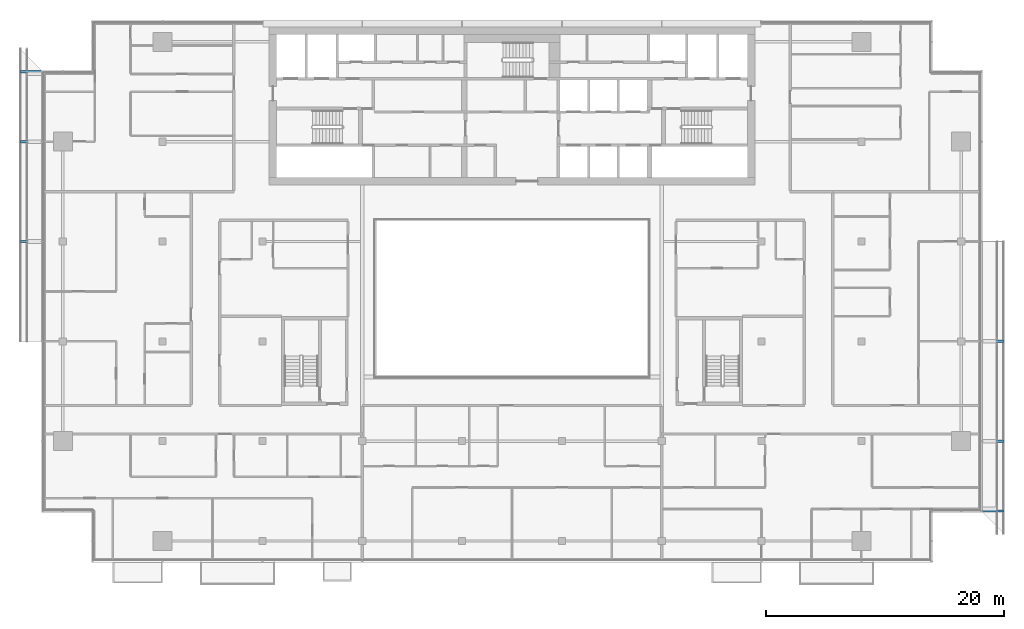
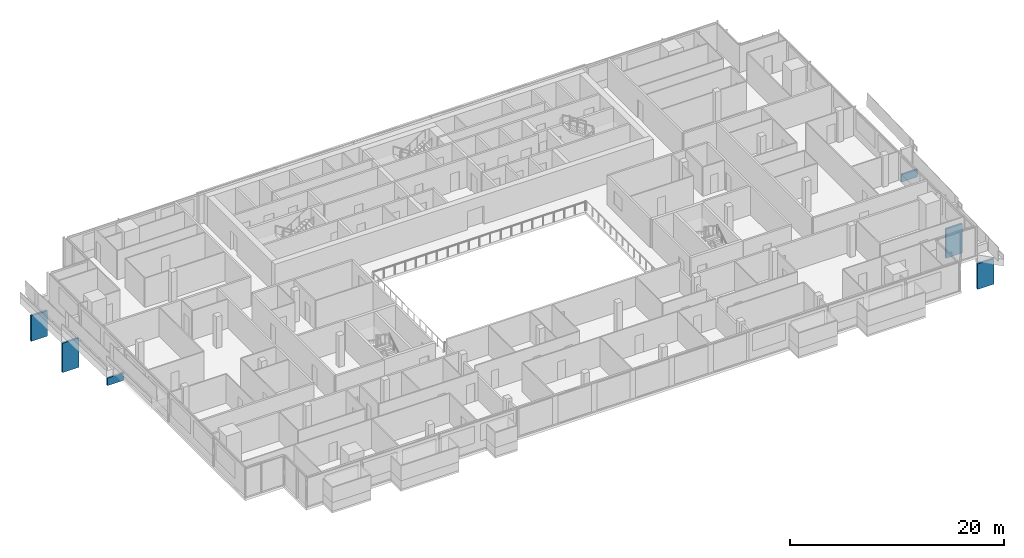
# One storey, part 26 of 29: 6 discrete accessories.
"""IFC4 building model written with IfcOpenShell, lengths in metres."""

import ifcopenshell
import ifcopenshell.guid

model = None  # the IFC model being written
_history = None  # IfcOwnerHistory: only IFC2X3 demands one
_inside = {}  # id of a spatial element -> (the spatial element, [elements in it])
_under = {}  # id of a project, library or spatial element -> (it, [spatial elements below it])
_declared = {}  # id of a project -> (the project, [libraries it declares])
_typed = {}  # id of a type object -> (the type object, [elements of that type])
_made_of = {}  # id of a material, layer set ... -> (it, [elements and type objects made of it])


def new_model(schema):
    """Start an empty IFC model of exactly this schema.

    Asked for "IFC4X3", IfcOpenShell would pick the latest addendum, in which some entities
    have other attributes; the version numbers below select the first issue.
    IFC2X3 requires an IfcOwnerHistory on every rooted entity: one is made here for all.
    """
    global model, _history
    if schema == "IFC4X3":
        model = ifcopenshell.file(schema_version=(4, 3, 0, 0))
    else:
        model = ifcopenshell.file(schema=schema)
    _inside.clear()
    _under.clear()
    _declared.clear()
    _typed.clear()
    _made_of.clear()
    _history = None
    if model.schema == "IFC2X3":
        org = make("IfcOrganization", Name="unknown")
        user = make(
            "IfcPersonAndOrganization",
            ThePerson=make("IfcPerson", FamilyName="unknown"),
            TheOrganization=org,
        )
        app = make(
            "IfcApplication",
            ApplicationDeveloper=org,
            Version="unknown",
            ApplicationFullName="unknown",
            ApplicationIdentifier="unknown",
        )
        _history = make(
            "IfcOwnerHistory",
            OwningUser=user,
            OwningApplication=app,
            ChangeAction="ADDED",
            CreationDate=0,
        )
    return model


def make(cls, **values):
    """One entity of the class cls with the attributes given. An attribute that is None is left unset."""
    return model.create_entity(
        cls, **{name: value for name, value in values.items() if value is not None}
    )


def rooted(cls, **values):
    """An entity with a GlobalId (a new one), such as an element, a storey or a relation."""
    return make(cls, GlobalId=ifcopenshell.guid.new(), OwnerHistory=_history, **values)


def si_unit(unit_type, name, prefix=None):
    """IfcSIUnit, for example si_unit("LENGTHUNIT", "METRE", prefix="MILLI")."""
    return make("IfcSIUnit", UnitType=unit_type, Prefix=prefix, Name=name)


def assignment(units):
    """IfcUnitAssignment: the units of a project."""
    return None if units is None else make("IfcUnitAssignment", Units=units)


def point(xyz):
    """IfcCartesianPoint."""
    return None if xyz is None else make("IfcCartesianPoint", Coordinates=xyz)


def direction(xyz):
    """IfcDirection."""
    return None if xyz is None else make("IfcDirection", DirectionRatios=xyz)


def frame(location, z_axis=None, x_axis=None):
    """IfcAxis2Placement3D, a coordinate frame: its origin and axes. An axis left out is left unset."""
    return make(
        "IfcAxis2Placement3D",
        Location=point(location),
        Axis=direction(z_axis),
        RefDirection=direction(x_axis),
    )


def frame_2d(location, x_axis=None):
    """IfcAxis2Placement2D, a coordinate frame in the plane: its origin and x axis."""
    return make(
        "IfcAxis2Placement2D", Location=point(location), RefDirection=direction(x_axis)
    )


def origin():
    """The frame at (0, 0, 0) with its axes left unset."""
    return frame((0.0, 0.0, 0.0))


def origin_2d():
    """The frame at (0, 0) in the plane with its x axis left unset."""
    return frame_2d((0.0, 0.0))


def place(relative_to, where):
    """IfcLocalPlacement: puts the frame where relative to a parent placement (None: the world)."""
    return make(
        "IfcLocalPlacement", PlacementRelTo=relative_to, RelativePlacement=where
    )


def context(
    kind, dimensions, precision=None, world=None, true_north=None, identifier=None
):
    """IfcGeometricRepresentationContext, for example the 3D "Model" context."""
    return make(
        "IfcGeometricRepresentationContext",
        ContextIdentifier=identifier,
        ContextType=kind,
        CoordinateSpaceDimension=dimensions,
        Precision=precision,
        WorldCoordinateSystem=world,
        TrueNorth=true_north,
    )


def subcontext(parent, identifier, kind, view, scale=None):
    """IfcGeometricRepresentationSubContext, for example "Body" below "Model"."""
    return make(
        "IfcGeometricRepresentationSubContext",
        ContextIdentifier=identifier,
        ContextType=kind,
        ParentContext=parent,
        TargetScale=scale,
        TargetView=view,
    )


def project(units=None, contexts=None):
    """IfcProject with its units and contexts."""
    return rooted(
        "IfcProject",
        Name="project",
        RepresentationContexts=contexts,
        UnitsInContext=assignment(units),
    )


def spatial(cls, under=None, at=None, **own):
    """A site, building, storey or space (cls), placed at a placement, below another one or the project."""
    s = rooted(cls, ObjectPlacement=at, **own)
    if under is not None:
        _under.setdefault(under.id(), (under, []))[1].append(s)
    return s


def profile(cls, at=None, kind="AREA", **sizes):
    """A parametric profile (cls). Its sizes go by their IFC names, for example OverallWidth=200.0."""
    return make(cls, ProfileType=kind, Position=at, **sizes)


def rectangle(**sizes):
    """IfcRectangleProfileDef."""
    return profile("IfcRectangleProfileDef", **sizes)


def extrude(swept, where, along, depth):
    """IfcExtrudedAreaSolid: the profile swept, set in the frame where, extruded along a direction by depth."""
    return make(
        "IfcExtrudedAreaSolid",
        SweptArea=swept,
        Position=where,
        ExtrudedDirection=direction(along),
        Depth=depth,
    )


def shape(context_of_items, identifier, shape_type, items):
    """IfcShapeRepresentation: the items that make up one representation, for example the "Body"."""
    return make(
        "IfcShapeRepresentation",
        ContextOfItems=context_of_items,
        RepresentationIdentifier=identifier,
        RepresentationType=shape_type,
        Items=items,
    )


def made_of(thing, what):
    """Note that an element or type object is made of a material, layer set ...; save() writes the relation."""
    if what is not None:
        _made_of.setdefault(what.id(), (what, []))[1].append(thing)
    return thing


def element(
    cls,
    number,
    at=None,
    inside=None,
    cuts=None,
    type_object=None,
    material=None,
    context=None,
    identifier="Body",
    shape_type=None,
    held_by="IfcProductDefinitionShape",
    body=None,
    shapes=None,
    **own,
):
    """One element of the class cls, such as IfcWall. Its Tag is "e" and its number.

    at: its placement. inside: the storey or other place that contains it. cuts: it is an
    opening in that element (IfcRelVoidsElement). A single representation is given by context,
    identifier, shape_type and body (its items); several are given by shapes. held_by: the class
    of the entity that holds the representations. save() writes the other relations.
    """
    e = rooted(cls, Tag="e%d" % number, ObjectPlacement=at, **own)
    if body is not None:
        shapes = [shape(context, identifier, shape_type, body)]
    if shapes is not None:
        e.Representation = make(held_by, Representations=shapes)
    if inside is not None:
        _inside.setdefault(inside.id(), (inside, []))[1].append(e)
    if cuts is not None:
        rooted(
            "IfcRelVoidsElement", RelatingBuildingElement=cuts, RelatedOpeningElement=e
        )
    if type_object is not None:
        _typed.setdefault(type_object.id(), (type_object, []))[1].append(e)
    return made_of(e, material)


def aggregate(whole, parts):
    """IfcRelAggregates: a whole, such as a stair, and the parts it consists of."""
    return rooted("IfcRelAggregates", RelatingObject=whole, RelatedObjects=parts)


def save(model, path):
    """Write the relations noted so far, then the file.

    IfcRelAggregates (storeys below a building ...), IfcRelContainedInSpatialStructure (elements
    in a storey), IfcRelDefinesByType, IfcRelAssociatesMaterial and IfcRelDeclares: one each for
    every whole, place, type object, material and project.
    """
    for whole, parts in _under.values():
        aggregate(whole, parts)
    for where, things in _inside.values():
        rooted(
            "IfcRelContainedInSpatialStructure",
            RelatedElements=things,
            RelatingStructure=where,
        )
    for kind, things in _typed.values():
        rooted("IfcRelDefinesByType", RelatedObjects=things, RelatingType=kind)
    for what, things in _made_of.values():
        rooted("IfcRelAssociatesMaterial", RelatedObjects=things, RelatingMaterial=what)
    for by, libraries in _declared.values():
        rooted("IfcRelDeclares", RelatingContext=by, RelatedDefinitions=libraries)
    model.write(path)


model = new_model("IFC4")

# Units and contexts
model_context = context("Model", 3, precision=1e-05, world=origin(), true_north=direction((0.0, 1.0)))
body_context = subcontext(model_context, "Body", "Model", "MODEL_VIEW")
ifc_project = project(units=[si_unit("LENGTHUNIT", "METRE"), si_unit("AREAUNIT", "SQUARE_METRE"), si_unit("VOLUMEUNIT", "CUBIC_METRE"), si_unit("PLANEANGLEUNIT", "RADIAN"), si_unit("MASSUNIT", "GRAM", prefix="KILO")], contexts=[model_context])

# Site, building, storey
site_placement = place(None, origin())
site = spatial("IfcSite", under=ifc_project, at=site_placement, CompositionType="ELEMENT")
building_placement = place(site_placement, origin())
building = spatial("IfcBuilding", under=site, at=building_placement, Name="Saffron Gate Tower", CompositionType="ELEMENT")
storey_placement = place(building_placement, frame((0.0, 0.0, 219.89990234375)))
storey = spatial("IfcBuildingStorey", under=building, at=storey_placement, Name="L53", CompositionType="ELEMENT", Elevation=219.89990234375)

# Discrete accessories
discrete_accessory_1_placement = place(storey_placement, frame((128.074951171875, 34.320068359375, -3.8798828125), z_axis=(0.0, 0.0, 1.0), x_axis=(0.0, 1.0, 0.0)))
element("IfcDiscreteAccessory", 1, at=discrete_accessory_1_placement, inside=storey, Name="LEDGE rib", PredefinedType="BRACKET", context=body_context, shape_type="SweptSolid", body=[
    extrude(rectangle(XDim=0.199951171875, YDim=1.75, at=origin_2d()), origin(), (0.0, 0.0, 1.0), 2.921875),
])
discrete_accessory_2_placement = place(storey_placement, frame((128.074951171875, 40.199951171875, -3.8798828125), z_axis=(0.0, 0.0, 1.0), x_axis=(0.0, 1.0, 0.0)))
element("IfcDiscreteAccessory", 2, at=discrete_accessory_2_placement, inside=storey, Name="LEDGE rib", PredefinedType="BRACKET", context=body_context, shape_type="SweptSolid", body=[
    extrude(rectangle(XDim=0.199951171875, YDim=1.75, at=origin_2d()), origin(), (0.0, 0.0, 1.0), 3.35205078125),
])
discrete_accessory_3_placement = place(storey_placement, frame((128.074951171875, 48.60009765625, -0.27978515625), z_axis=(0.0, 0.0, 1.0), x_axis=(0.0, 1.0, 0.0)))
element("IfcDiscreteAccessory", 3, at=discrete_accessory_3_placement, inside=storey, Name="LEDGE rib", PredefinedType="BRACKET", context=body_context, shape_type="SweptSolid", body=[
    extrude(rectangle(XDim=0.199951171875, YDim=1.75, at=origin_2d()), origin(), (0.0, 0.0, 1.0), 0.851318359375),
])
discrete_accessory_4_placement = place(storey_placement, frame((47.125, 71.280029296875, -3.8798828125), z_axis=(0.0, 0.0, 1.0), x_axis=(0.0, -1.0, 0.0)))
element("IfcDiscreteAccessory", 4, at=discrete_accessory_4_placement, inside=storey, Name="LEDGE rib", PredefinedType="BRACKET", context=body_context, shape_type="SweptSolid", body=[
    extrude(rectangle(XDim=0.199951171875, YDim=1.75, at=origin_2d()), origin(), (0.0, 0.0, 1.0), 2.921875),
])
discrete_accessory_5_placement = place(storey_placement, frame((47.125, 65.39990234375, -3.8798828125), z_axis=(0.0, 0.0, 1.0), x_axis=(0.0, -1.0, 0.0)))
element("IfcDiscreteAccessory", 5, at=discrete_accessory_5_placement, inside=storey, Name="LEDGE rib", PredefinedType="BRACKET", context=body_context, shape_type="SweptSolid", body=[
    extrude(rectangle(XDim=0.199951171875, YDim=1.75, at=origin_2d()), origin(), (0.0, 0.0, 1.0), 3.35205078125),
])
discrete_accessory_6_placement = place(storey_placement, frame((47.125, 57.0, -0.27978515625), z_axis=(0.0, 0.0, 1.0), x_axis=(0.0, -1.0, 0.0)))
element("IfcDiscreteAccessory", 6, at=discrete_accessory_6_placement, inside=storey, Name="LEDGE rib", PredefinedType="BRACKET", context=body_context, shape_type="SweptSolid", body=[
    extrude(rectangle(XDim=0.199951171875, YDim=1.75, at=origin_2d()), origin(), (0.0, 0.0, 1.0), 0.851318359375),
])

save(model, "model.ifc")
